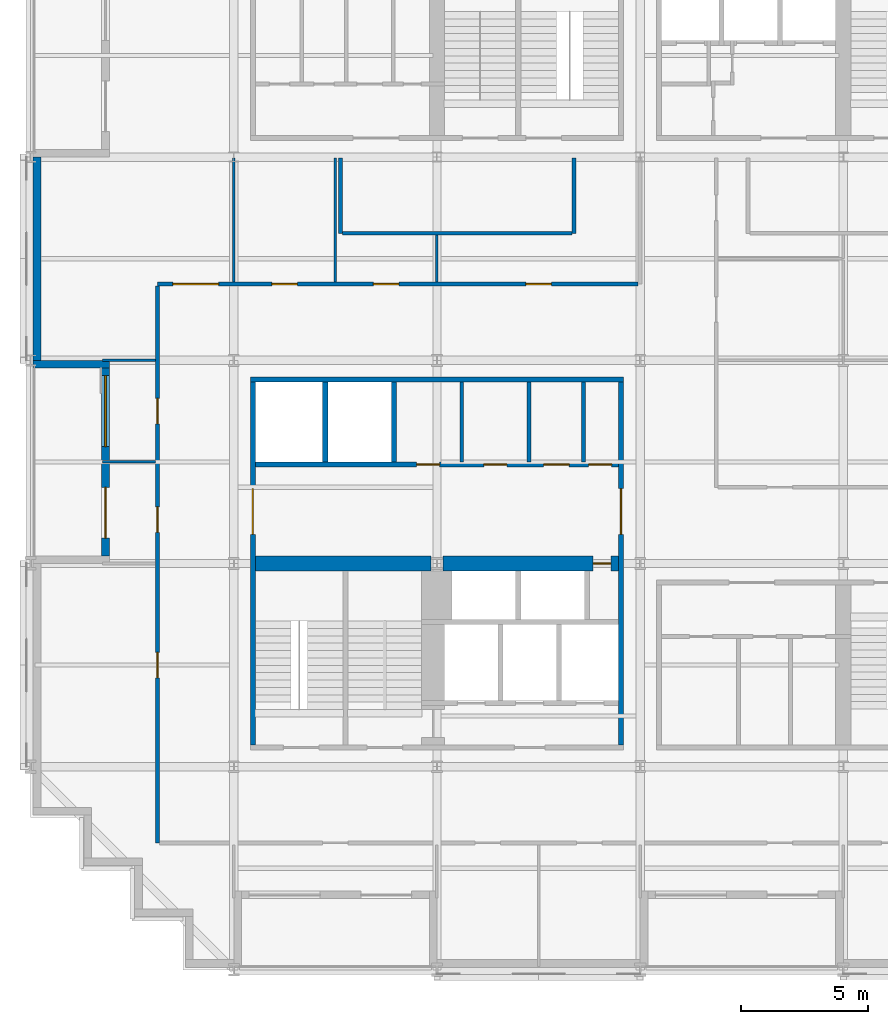
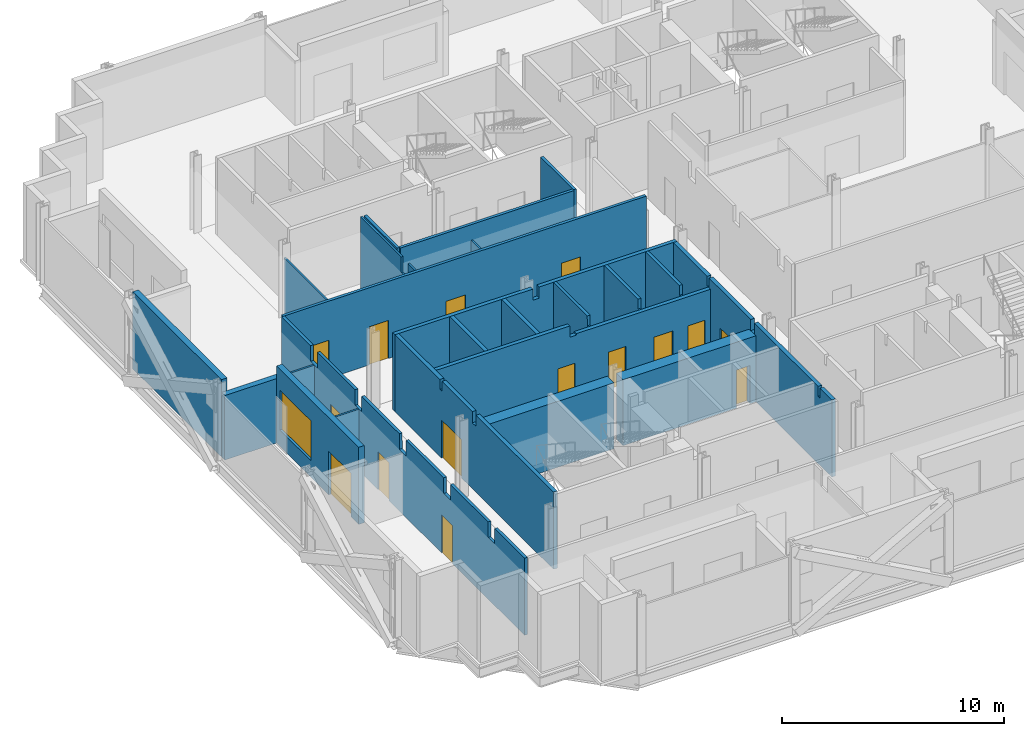
# One storey, part 6 of 12: 24 walls, 15 doors, 1 window, 16 openings.
"""IFC4 building model written with IfcOpenShell, lengths in metres."""

import ifcopenshell
import ifcopenshell.guid

model = None  # the IFC model being written
_history = None  # IfcOwnerHistory: only IFC2X3 demands one
_inside = {}  # id of a spatial element -> (the spatial element, [elements in it])
_under = {}  # id of a project, library or spatial element -> (it, [spatial elements below it])
_declared = {}  # id of a project -> (the project, [libraries it declares])
_typed = {}  # id of a type object -> (the type object, [elements of that type])
_made_of = {}  # id of a material, layer set ... -> (it, [elements and type objects made of it])


def new_model(schema):
    """Start an empty IFC model of exactly this schema.

    Asked for "IFC4X3", IfcOpenShell would pick the latest addendum, in which some entities
    have other attributes; the version numbers below select the first issue.
    IFC2X3 requires an IfcOwnerHistory on every rooted entity: one is made here for all.
    """
    global model, _history
    if schema == "IFC4X3":
        model = ifcopenshell.file(schema_version=(4, 3, 0, 0))
    else:
        model = ifcopenshell.file(schema=schema)
    _inside.clear()
    _under.clear()
    _declared.clear()
    _typed.clear()
    _made_of.clear()
    _history = None
    if model.schema == "IFC2X3":
        org = make("IfcOrganization", Name="unknown")
        user = make(
            "IfcPersonAndOrganization",
            ThePerson=make("IfcPerson", FamilyName="unknown"),
            TheOrganization=org,
        )
        app = make(
            "IfcApplication",
            ApplicationDeveloper=org,
            Version="unknown",
            ApplicationFullName="unknown",
            ApplicationIdentifier="unknown",
        )
        _history = make(
            "IfcOwnerHistory",
            OwningUser=user,
            OwningApplication=app,
            ChangeAction="ADDED",
            CreationDate=0,
        )
    return model


def make(cls, **values):
    """One entity of the class cls with the attributes given. An attribute that is None is left unset."""
    return model.create_entity(
        cls, **{name: value for name, value in values.items() if value is not None}
    )


def rooted(cls, **values):
    """An entity with a GlobalId (a new one), such as an element, a storey or a relation."""
    return make(cls, GlobalId=ifcopenshell.guid.new(), OwnerHistory=_history, **values)


def si_unit(unit_type, name, prefix=None):
    """IfcSIUnit, for example si_unit("LENGTHUNIT", "METRE", prefix="MILLI")."""
    return make("IfcSIUnit", UnitType=unit_type, Prefix=prefix, Name=name)


def assignment(units):
    """IfcUnitAssignment: the units of a project."""
    return None if units is None else make("IfcUnitAssignment", Units=units)


def point(xyz):
    """IfcCartesianPoint."""
    return None if xyz is None else make("IfcCartesianPoint", Coordinates=xyz)


def direction(xyz):
    """IfcDirection."""
    return None if xyz is None else make("IfcDirection", DirectionRatios=xyz)


def frame(location, z_axis=None, x_axis=None):
    """IfcAxis2Placement3D, a coordinate frame: its origin and axes. An axis left out is left unset."""
    return make(
        "IfcAxis2Placement3D",
        Location=point(location),
        Axis=direction(z_axis),
        RefDirection=direction(x_axis),
    )


def frame_2d(location, x_axis=None):
    """IfcAxis2Placement2D, a coordinate frame in the plane: its origin and x axis."""
    return make(
        "IfcAxis2Placement2D", Location=point(location), RefDirection=direction(x_axis)
    )


def origin():
    """The frame at (0, 0, 0) with its axes left unset."""
    return frame((0.0, 0.0, 0.0))


def place(relative_to, where):
    """IfcLocalPlacement: puts the frame where relative to a parent placement (None: the world)."""
    return make(
        "IfcLocalPlacement", PlacementRelTo=relative_to, RelativePlacement=where
    )


def context(
    kind, dimensions, precision=None, world=None, true_north=None, identifier=None
):
    """IfcGeometricRepresentationContext, for example the 3D "Model" context."""
    return make(
        "IfcGeometricRepresentationContext",
        ContextIdentifier=identifier,
        ContextType=kind,
        CoordinateSpaceDimension=dimensions,
        Precision=precision,
        WorldCoordinateSystem=world,
        TrueNorth=true_north,
    )


def subcontext(parent, identifier, kind, view, scale=None):
    """IfcGeometricRepresentationSubContext, for example "Body" below "Model"."""
    return make(
        "IfcGeometricRepresentationSubContext",
        ContextIdentifier=identifier,
        ContextType=kind,
        ParentContext=parent,
        TargetScale=scale,
        TargetView=view,
    )


def project(units=None, contexts=None):
    """IfcProject with its units and contexts."""
    return rooted(
        "IfcProject",
        Name="project",
        RepresentationContexts=contexts,
        UnitsInContext=assignment(units),
    )


def spatial(cls, under=None, at=None, **own):
    """A site, building, storey or space (cls), placed at a placement, below another one or the project."""
    s = rooted(cls, ObjectPlacement=at, **own)
    if under is not None:
        _under.setdefault(under.id(), (under, []))[1].append(s)
    return s


def polyline(points):
    """IfcPolyline through the points."""
    return make("IfcPolyline", Points=[point(p) for p in points])


def profile(cls, at=None, kind="AREA", **sizes):
    """A parametric profile (cls). Its sizes go by their IFC names, for example OverallWidth=200.0."""
    return make(cls, ProfileType=kind, Position=at, **sizes)


def rectangle(**sizes):
    """IfcRectangleProfileDef."""
    return profile("IfcRectangleProfileDef", **sizes)


def outline(outer, holes=None, kind="AREA"):
    """IfcArbitraryClosedProfileDef: a profile drawn as a closed curve; with holes, ...WithVoids."""
    if holes is None:
        return make("IfcArbitraryClosedProfileDef", ProfileType=kind, OuterCurve=outer)
    return make(
        "IfcArbitraryProfileDefWithVoids",
        ProfileType=kind,
        OuterCurve=outer,
        InnerCurves=holes,
    )


def extrude(swept, where, along, depth):
    """IfcExtrudedAreaSolid: the profile swept, set in the frame where, extruded along a direction by depth."""
    return make(
        "IfcExtrudedAreaSolid",
        SweptArea=swept,
        Position=where,
        ExtrudedDirection=direction(along),
        Depth=depth,
    )


def shape(context_of_items, identifier, shape_type, items):
    """IfcShapeRepresentation: the items that make up one representation, for example the "Body"."""
    return make(
        "IfcShapeRepresentation",
        ContextOfItems=context_of_items,
        RepresentationIdentifier=identifier,
        RepresentationType=shape_type,
        Items=items,
    )


def material(Name=None, Category=None):
    """IfcMaterial."""
    return make("IfcMaterial", Name=Name, Category=Category)


def layer(
    of_material, thickness, ventilated=None, Name=None, Category=None, Priority=None
):
    """IfcMaterialLayer: one layer of a wall or slab, of a material (None: an air gap)."""
    return make(
        "IfcMaterialLayer",
        Material=of_material,
        LayerThickness=thickness,
        IsVentilated=ventilated,
        Name=Name,
        Category=Category,
        Priority=Priority,
    )


def layer_set(layers, Name=None):
    """IfcMaterialLayerSet."""
    return make("IfcMaterialLayerSet", MaterialLayers=layers, LayerSetName=Name)


def made_of(thing, what):
    """Note that an element or type object is made of a material, layer set ...; save() writes the relation."""
    if what is not None:
        _made_of.setdefault(what.id(), (what, []))[1].append(thing)
    return thing


def type_object(cls, material=None, **own):
    """A type object (cls), such as IfcWallType, which elements share."""
    return made_of(rooted(cls, **own), material)


def element(
    cls,
    number,
    at=None,
    inside=None,
    cuts=None,
    type_object=None,
    material=None,
    context=None,
    identifier="Body",
    shape_type=None,
    held_by="IfcProductDefinitionShape",
    body=None,
    shapes=None,
    **own,
):
    """One element of the class cls, such as IfcWall. Its Tag is "e" and its number.

    at: its placement. inside: the storey or other place that contains it. cuts: it is an
    opening in that element (IfcRelVoidsElement). A single representation is given by context,
    identifier, shape_type and body (its items); several are given by shapes. held_by: the class
    of the entity that holds the representations. save() writes the other relations.
    """
    e = rooted(cls, Tag="e%d" % number, ObjectPlacement=at, **own)
    if body is not None:
        shapes = [shape(context, identifier, shape_type, body)]
    if shapes is not None:
        e.Representation = make(held_by, Representations=shapes)
    if inside is not None:
        _inside.setdefault(inside.id(), (inside, []))[1].append(e)
    if cuts is not None:
        rooted(
            "IfcRelVoidsElement", RelatingBuildingElement=cuts, RelatedOpeningElement=e
        )
    if type_object is not None:
        _typed.setdefault(type_object.id(), (type_object, []))[1].append(e)
    return made_of(e, material)


def fill(opening, filler):
    """IfcRelFillsElement: the door or window that sits in an opening."""
    return rooted(
        "IfcRelFillsElement",
        RelatingOpeningElement=opening,
        RelatedBuildingElement=filler,
    )


def aggregate(whole, parts):
    """IfcRelAggregates: a whole, such as a stair, and the parts it consists of."""
    return rooted("IfcRelAggregates", RelatingObject=whole, RelatedObjects=parts)


def save(model, path):
    """Write the relations noted so far, then the file.

    IfcRelAggregates (storeys below a building ...), IfcRelContainedInSpatialStructure (elements
    in a storey), IfcRelDefinesByType, IfcRelAssociatesMaterial and IfcRelDeclares: one each for
    every whole, place, type object, material and project.
    """
    for whole, parts in _under.values():
        aggregate(whole, parts)
    for where, things in _inside.values():
        rooted(
            "IfcRelContainedInSpatialStructure",
            RelatedElements=things,
            RelatingStructure=where,
        )
    for kind, things in _typed.values():
        rooted("IfcRelDefinesByType", RelatedObjects=things, RelatingType=kind)
    for what, things in _made_of.values():
        rooted("IfcRelAssociatesMaterial", RelatedObjects=things, RelatingMaterial=what)
    for by, libraries in _declared.values():
        rooted("IfcRelDeclares", RelatingContext=by, RelatedDefinitions=libraries)
    model.write(path)


model = new_model("IFC4")

# Units and contexts
model_context = context("Model", 3, precision=1e-05, world=origin(), true_north=direction((0.0, 1.0)))
body_context = subcontext(model_context, "Body", "Model", "MODEL_VIEW")
ifc_project = project(units=[si_unit("LENGTHUNIT", "METRE"), si_unit("AREAUNIT", "SQUARE_METRE"), si_unit("VOLUMEUNIT", "CUBIC_METRE"), si_unit("PLANEANGLEUNIT", "RADIAN"), si_unit("MASSUNIT", "GRAM", prefix="KILO")], contexts=[model_context])

# Site, building, storey
site_placement = place(None, origin())
site = spatial("IfcSite", under=ifc_project, at=site_placement, CompositionType="ELEMENT")
building_placement = place(site_placement, origin())
building = spatial("IfcBuilding", under=site, at=building_placement, Name="Immortelle Media Tower", CompositionType="ELEMENT")
storey_placement = place(building_placement, frame((0.0, 0.0, 52.39990234375)))
storey = spatial("IfcBuildingStorey", under=building, at=storey_placement, Name="L08", CompositionType="ELEMENT", Elevation=52.39990234375)

# Wall, opening, door
ifc_material_1 = material(Name="Fire-rated masonry blockwork", Category="masonry")
ifc_layer_1 = layer(ifc_material_1, 0.60009765625)
ifc_layer_set_1 = layer_set([ifc_layer_1], Name="Fire-rated masonry blockwork")
wall_type_1 = type_object("IfcWallType", Name="Core grid-line wall 600", PredefinedType="PARTITIONING", material=ifc_layer_set_1)
wall_1_placement = place(storey_placement, frame((16.237548828125, 16.0, 0.0), z_axis=(0.0, 0.0, 1.0), x_axis=(1.0, 0.0, 0.0)))
wall_1 = element("IfcWall", 1, at=wall_1_placement, inside=storey, type_object=wall_type_1, Name="Core grid-line wall SW", PredefinedType="PARTITIONING", context=body_context, shape_type="SweptSolid", body=[
    extrude(rectangle(XDim=6.912353515625, YDim=0.60009765625, at=frame_2d((3.4560546875, 0.0))), origin(), (0.0, 0.0, 1.0), 3.632080078125),
])
opening_1_placement = place(wall_1_placement, frame((6.612548828125, 0.0, 0.0), z_axis=(0.0, 0.0, 1.0), x_axis=(-1.0, 0.0, 0.0)))
opening_1 = element("IfcOpeningElement", 2, at=opening_1_placement, cuts=wall_1, Name="Opening N2-K015", PredefinedType="OPENING", context=body_context, shape_type="SweptSolid", body=[
    extrude(rectangle(XDim=0.699951171875, YDim=2.10009765625, at=frame_2d((0.35009765625, 1.050048828125))), frame((0.0, 0.31005859375, 0.0), z_axis=(0.0, -1.0, 0.0), x_axis=(1.0, 0.0, 0.0)), (0.0, 0.0, 1.0), 0.6201171875),
])
ifc_material_2 = material(Name="Galvanised steel door leaf and frame ASTM A653", Category="steel")
door_type_1 = type_object("IfcDoorType", Name="Service door 700 x 2100", OperationType="NOTDEFINED", PredefinedType="NOTDEFINED", material=ifc_material_2)
door_1_placement = place(opening_1_placement, origin())
door_1 = element("IfcDoor", 3, at=door_1_placement, inside=storey, type_object=door_type_1, Name="Service N2-K015", OperationType="SINGLE_SWING_RIGHT", OverallHeight=2.10009765625, OverallWidth=0.699951171875, PredefinedType="NOTDEFINED", context=body_context, shape_type="SweptSolid", body=[
    extrude(rectangle(XDim=0.699951171875, YDim=2.10009765625, at=frame_2d((0.35009765625, 1.050048828125))), frame((0.0, 0.02490234375, 0.0), z_axis=(0.0, -1.0, 0.0), x_axis=(1.0, 0.0, 0.0)), (0.0, 0.0, 1.0), 0.050048828125),
])
fill(opening_1, door_1)

# Walls
ifc_material_3 = material(Name="Fire-rated gypsum board", Category="gypsum")
ifc_layer_2 = layer(ifc_material_3, 0.02490234375)
ifc_material_4 = material(Name="Steel ASTM A653 SS Gr 50 stud frame with mineral wool", Category="steel")
ifc_layer_3 = layer(ifc_material_4, 0.10009765625)
ifc_layer_4 = layer(ifc_material_3, 0.02490234375)
ifc_layer_set_2 = layer_set([ifc_layer_2, ifc_layer_3, ifc_layer_4], Name="Steel ASTM A653 SS Gr 50 stud frame with mineral wool")
wall_type_2 = type_object("IfcWallType", Name="Core partition 150", PredefinedType="PARTITIONING", material=ifc_layer_set_2)
for number, where, z_axis, x_axis, name in (
    (4, (16.97509765625, 20.0, 0.0), (0.0, 0.0, 1.0), (0.0, 1.0, 0.0), "Core partition SW"),
    (5, (19.625, 20.0, 0.0), (0.0, 0.0, 1.0), (0.0, 1.0, 0.0), "Core partition SW"),
    (6, (21.77490234375, 20.0, 0.0), (0.0, 0.0, 1.0), (0.0, 1.0, 0.0), "Core partition SW"),
):
    element("IfcWall", number, at=place(storey_placement, frame(where, z_axis=z_axis, x_axis=x_axis)), inside=storey, type_object=wall_type_2, Name=name, PredefinedType="PARTITIONING", context=body_context, shape_type="SweptSolid", body=[
        extrude(outline(polyline([(0.0, 0.0), (3.14990234375, 0.0), (3.14990234375, 4.25), (0.08837890625, 4.25), (0.08740234375, 3.7080078125), (0.0, 3.7080078125), (0.0, 0.0)])), frame((0.0, 0.074951171875, 0.0), z_axis=(0.0, -1.0, 0.0), x_axis=(1.0, 0.0, 0.0)), (0.0, 0.0, 1.0), 0.14990234375),
    ])
ifc_layer_5 = layer(ifc_material_3, 0.03759765625)
ifc_layer_6 = layer(ifc_material_4, 0.125)
ifc_layer_7 = layer(ifc_material_3, 0.03759765625)
ifc_layer_set_3 = layer_set([ifc_layer_5, ifc_layer_6, ifc_layer_7], Name="Steel ASTM A653 SS Gr 50 stud frame with mineral wool")
wall_type_3 = type_object("IfcWallType", Name="Core shaft wall 200", PredefinedType="PARTITIONING", material=ifc_layer_set_3)
wall_2_placement = place(storey_placement, frame((8.64990234375, 23.25, 0.0), z_axis=(0.0, 0.0, 1.0), x_axis=(1.0, 0.0, 0.0)))
element("IfcWall", 7, at=wall_2_placement, inside=storey, type_object=wall_type_3, Name="Core shaft wall SW", PredefinedType="PARTITIONING", context=body_context, shape_type="SweptSolid", body=[
    extrude(outline(polyline([(0.0, 0.0), (14.7001953125, 0.0), (14.699951171875, 4.25), (7.51708984375, 4.25), (7.51611328125, 3.632080078125), (7.18408203125, 3.632080078125), (7.18310546875, 4.25), (0.0, 4.25), (0.0, 0.0)])), frame((0.0, 0.10009765625, 0.0), z_axis=(0.0, -1.0, 0.0), x_axis=(1.0, 0.0, 0.0)), (0.0, 0.0, 1.0), 0.199951171875),
])

# Wall, openings, doors
wall_3_placement = place(storey_placement, frame((8.85009765625, 19.89990234375, 0.0), z_axis=(0.0, 0.0, 1.0), x_axis=(1.0, 0.0, 0.0)))
wall_3 = element("IfcWall", 8, at=wall_3_placement, inside=storey, type_object=wall_type_3, Name="Core shaft wall SW", PredefinedType="PARTITIONING", context=body_context, shape_type="SweptSolid", body=[
    extrude(outline(polyline([(0.0, 0.0), (14.2998046875, 0.0), (14.300048828125, 3.7080078125), (7.31689453125, 3.7080078125), (7.31591796875, 3.632080078125), (6.98388671875, 3.632080078125), (6.98291015625, 4.25), (0.0, 4.25), (0.0, 0.0)])), frame((0.0, 0.10009765625, 0.0), z_axis=(0.0, -1.0, 0.0), x_axis=(1.0, 0.0, 0.0)), (0.0, 0.0, 1.0), 0.199951171875),
])
opening_2_placement = place(wall_3_placement, frame((6.35009765625, 0.0, 0.0)))
opening_2 = element("IfcOpeningElement", 9, at=opening_2_placement, cuts=wall_3, Name="Opening N2-K040", PredefinedType="OPENING", context=body_context, shape_type="SweptSolid", body=[
    extrude(rectangle(XDim=0.89990234375, YDim=2.10009765625, at=frame_2d((0.449951171875, 1.050048828125))), frame((0.0, 0.10986328125, 0.0), z_axis=(0.0, -1.0, 0.0), x_axis=(1.0, 0.0, 0.0)), (0.0, 0.0, 1.0), 0.219970703125),
])
opening_3_placement = place(wall_3_placement, frame((9.0, 0.0, 0.0)))
opening_3 = element("IfcOpeningElement", 10, at=opening_3_placement, cuts=wall_3, Name="Opening N2-K041", PredefinedType="OPENING", context=body_context, shape_type="SweptSolid", body=[
    extrude(rectangle(XDim=0.89990234375, YDim=2.10009765625, at=frame_2d((0.449951171875, 1.050048828125))), frame((0.0, 0.10986328125, 0.0), z_axis=(0.0, -1.0, 0.0), x_axis=(1.0, 0.0, 0.0)), (0.0, 0.0, 1.0), 0.219970703125),
])
opening_4_placement = place(wall_3_placement, frame((11.35009765625, 0.0, 0.0)))
opening_4 = element("IfcOpeningElement", 11, at=opening_4_placement, cuts=wall_3, Name="Opening N2-K042", PredefinedType="OPENING", context=body_context, shape_type="SweptSolid", body=[
    extrude(rectangle(XDim=1.0, YDim=2.10009765625, at=frame_2d((0.5, 1.050048828125))), frame((0.0, 0.10986328125, 0.0), z_axis=(0.0, -1.0, 0.0), x_axis=(1.0, 0.0, 0.0)), (0.0, 0.0, 1.0), 0.219970703125),
])
opening_5_placement = place(wall_3_placement, frame((13.125, 0.0, 0.0)))
opening_5 = element("IfcOpeningElement", 12, at=opening_5_placement, cuts=wall_3, Name="Opening N2-K043", PredefinedType="OPENING", context=body_context, shape_type="SweptSolid", body=[
    extrude(rectangle(XDim=0.89990234375, YDim=2.10009765625, at=frame_2d((0.449951171875, 1.050048828125))), frame((0.0, 0.10986328125, 0.0), z_axis=(0.0, -1.0, 0.0), x_axis=(1.0, 0.0, 0.0)), (0.0, 0.0, 1.0), 0.219970703125),
])
ifc_material_5 = material(Name="Timber", Category="wood")
door_type_2 = type_object("IfcDoorType", Name="Accessible toilet door 1000 x 2100", OperationType="NOTDEFINED", PredefinedType="NOTDEFINED", material=ifc_material_5)
door_2_placement = place(opening_4_placement, origin())
door_2 = element("IfcDoor", 13, at=door_2_placement, inside=storey, type_object=door_type_2, Name="Accessible toilet N2-K042", OperationType="SINGLE_SWING_RIGHT", OverallHeight=2.10009765625, OverallWidth=1.0, PredefinedType="NOTDEFINED", context=body_context, shape_type="SweptSolid", body=[
    extrude(rectangle(XDim=1.0, YDim=2.10009765625, at=frame_2d((0.5, 1.050048828125))), frame((0.0, 0.02490234375, 0.0), z_axis=(0.0, -1.0, 0.0), x_axis=(1.0, 0.0, 0.0)), (0.0, 0.0, 1.0), 0.050048828125),
])
fill(opening_4, door_2)
door_type_3 = type_object("IfcDoorType", Name="Service door 900 x 2100", OperationType="NOTDEFINED", PredefinedType="NOTDEFINED", material=ifc_material_2)
door_3_placement = place(opening_5_placement, origin())
door_3 = element("IfcDoor", 14, at=door_3_placement, inside=storey, type_object=door_type_3, Name="Service N2-K043", OperationType="SINGLE_SWING_LEFT", OverallHeight=2.10009765625, OverallWidth=0.89990234375, PredefinedType="NOTDEFINED", context=body_context, shape_type="SweptSolid", body=[
    extrude(rectangle(XDim=0.89990234375, YDim=2.10009765625, at=frame_2d((0.449951171875, 1.050048828125))), frame((0.0, 0.02490234375, 0.0), z_axis=(0.0, -1.0, 0.0), x_axis=(1.0, 0.0, 0.0)), (0.0, 0.0, 1.0), 0.050048828125),
])
fill(opening_5, door_3)
door_type_4 = type_object("IfcDoorType", Name="Toilet door 900 x 2100", OperationType="NOTDEFINED", PredefinedType="NOTDEFINED", material=ifc_material_5)
door_4_placement = place(opening_2_placement, origin())
door_4 = element("IfcDoor", 15, at=door_4_placement, inside=storey, type_object=door_type_4, Name="Toilet N2-K040", OperationType="SINGLE_SWING_RIGHT", OverallHeight=2.10009765625, OverallWidth=0.89990234375, PredefinedType="NOTDEFINED", context=body_context, shape_type="SweptSolid", body=[
    extrude(rectangle(XDim=0.89990234375, YDim=2.10009765625, at=frame_2d((0.449951171875, 1.050048828125))), frame((0.0, 0.02490234375, 0.0), z_axis=(0.0, -1.0, 0.0), x_axis=(1.0, 0.0, 0.0)), (0.0, 0.0, 1.0), 0.050048828125),
])
fill(opening_2, door_4)
door_5_placement = place(opening_3_placement, origin())
door_5 = element("IfcDoor", 16, at=door_5_placement, inside=storey, type_object=door_type_4, Name="Toilet N2-K041", OperationType="SINGLE_SWING_RIGHT", OverallHeight=2.10009765625, OverallWidth=0.89990234375, PredefinedType="NOTDEFINED", context=body_context, shape_type="SweptSolid", body=[
    extrude(rectangle(XDim=0.89990234375, YDim=2.10009765625, at=frame_2d((0.449951171875, 1.050048828125))), frame((0.0, 0.02490234375, 0.0), z_axis=(0.0, -1.0, 0.0), x_axis=(1.0, 0.0, 0.0)), (0.0, 0.0, 1.0), 0.050048828125),
])
fill(opening_3, door_5)

# Walls
for number, where, z_axis, x_axis, name in (
    (17, (11.60009765625, 20.0, 0.0), (0.0, 0.0, 1.0), (0.0, 1.0, 0.0), "Core shaft wall SW"),
    (18, (14.300048828125, 20.0, 0.0), (0.0, 0.0, 1.0), (0.0, 1.0, 0.0), "Core shaft wall SW"),
):
    element("IfcWall", number, at=place(storey_placement, frame(where, z_axis=z_axis, x_axis=x_axis)), inside=storey, type_object=wall_type_3, Name=name, PredefinedType="PARTITIONING", context=body_context, shape_type="SweptSolid", body=[
        extrude(rectangle(XDim=3.14990234375, YDim=0.199951171875, at=frame_2d((1.574951171875, 0.0))), origin(), (0.0, 0.0, 1.0), 4.25),
    ])

# Wall, opening, door
wall_4_placement = place(storey_placement, frame((23.25, 8.85009765625, 0.0), z_axis=(0.0, 0.0, 1.0), x_axis=(0.0, 1.0, 0.0)))
wall_4 = element("IfcWall", 19, at=wall_4_placement, inside=storey, type_object=wall_type_3, Name="Core shaft wall SW", PredefinedType="PARTITIONING", context=body_context, shape_type="SweptSolid", body=[
    extrude(outline(polyline([(0.0, 0.0), (14.2998046875, 0.0), (14.300048828125, 4.25), (11.238525390625, 4.25), (11.237548828125, 3.7080078125), (11.0625, 3.7080078125), (11.0615234375, 4.25), (7.31689453125, 4.25), (7.31591796875, 3.632080078125), (6.98388671875, 3.632080078125), (6.98291015625, 4.25), (1.238525390625, 4.25), (1.237548828125, 3.7080078125), (1.0625, 3.7080078125), (1.0615234375, 4.25), (0.0, 4.25), (0.0, 0.0)])), frame((0.0, 0.10009765625, 0.0), z_axis=(0.0, -1.0, 0.0), x_axis=(1.0, 0.0, 0.0)), (0.0, 0.0, 1.0), 0.199951171875),
])
opening_6_placement = place(wall_4_placement, frame((8.300048828125, 0.0, 0.0)))
opening_6 = element("IfcOpeningElement", 20, at=opening_6_placement, cuts=wall_4, Name="Opening N2-K016", PredefinedType="OPENING", context=body_context, shape_type="SweptSolid", body=[
    extrude(rectangle(XDim=1.800048828125, YDim=2.10009765625, at=frame_2d((0.89990234375, 1.050048828125))), frame((0.0, 0.10986328125, 0.0), z_axis=(0.0, -1.0, 0.0), x_axis=(1.0, 0.0, 0.0)), (0.0, 0.0, 1.0), 0.219970703125),
])
door_type_5 = type_object("IfcDoorType", Name="Lift lobby door 1800 x 2100", OperationType="DOUBLE_DOOR_SINGLE_SWING", PredefinedType="NOTDEFINED", material=ifc_material_2)
door_6_placement = place(opening_6_placement, origin())
door_6 = element("IfcDoor", 21, at=door_6_placement, inside=storey, type_object=door_type_5, Name="Lift lobby N2-K016", OperationType="DOUBLE_DOOR_SINGLE_SWING", OverallHeight=2.10009765625, OverallWidth=1.800048828125, PredefinedType="NOTDEFINED", context=body_context, shape_type="SweptSolid", body=[
    extrude(rectangle(XDim=1.800048828125, YDim=2.10009765625, at=frame_2d((0.89990234375, 1.050048828125))), frame((0.0, 0.02490234375, 0.0), z_axis=(0.0, -1.0, 0.0), x_axis=(1.0, 0.0, 0.0)), (0.0, 0.0, 1.0), 0.050048828125),
])
fill(opening_6, door_6)

# Wall, openings, doors
ifc_layer_8 = layer(ifc_material_3, 0.012451171875)
ifc_layer_9 = layer(ifc_material_4, 0.125)
ifc_layer_10 = layer(ifc_material_3, 0.012451171875)
ifc_layer_set_4 = layer_set([ifc_layer_8, ifc_layer_9, ifc_layer_10], Name="Steel ASTM A653 SS Gr 50 stud frame with mineral wool")
wall_type_4 = type_object("IfcWallType", Name="Corridor wall 150", PredefinedType="PARTITIONING", material=ifc_layer_set_4)
wall_5_placement = place(storey_placement, frame((5.0, 5.0, 0.0), z_axis=(0.0, 0.0, 1.0), x_axis=(0.0, 1.0, 0.0)))
wall_5 = element("IfcWall", 22, at=wall_5_placement, inside=storey, type_object=wall_type_4, Name="Partition L08-008", PredefinedType="PARTITIONING", context=body_context, shape_type="SweptSolid", body=[
    extrude(outline(polyline([(0.0, 0.0), (21.925048828125, 0.0), (21.925048828125, 4.25), (19.300048828125, 4.25), (19.298095703125, 3.39111328125), (18.701904296875, 3.39111328125), (18.699951171875, 4.25), (15.300048828125, 4.25), (15.298095703125, 3.39111328125), (14.701904296875, 3.39111328125), (14.699951171875, 4.25), (11.300048828125, 4.25), (11.298095703125, 3.39111328125), (10.701904296875, 3.39111328125), (10.699951171875, 4.25), (7.300048828125, 4.25), (7.298095703125, 3.39111328125), (6.701904296875, 3.39111328125), (6.699951171875, 4.25), (3.300048828125, 4.25), (3.298095703125, 3.39111328125), (2.701904296875, 3.39111328125), (2.699951171875, 4.25), (0.0, 4.25), (0.0, 0.0)])), frame((0.0, 0.074951171875, 0.0), z_axis=(0.0, -1.0, 0.0), x_axis=(1.0, 0.0, 0.0)), (0.0, 0.0, 1.0), 0.14990234375),
])
opening_7_placement = place(wall_5_placement, frame((6.5, 0.0, 0.0)))
opening_7 = element("IfcOpeningElement", 23, at=opening_7_placement, cuts=wall_5, Name="Opening N2-F007", PredefinedType="OPENING", context=body_context, shape_type="SweptSolid", body=[
    extrude(rectangle(XDim=1.0, YDim=2.10009765625, at=frame_2d((0.5, 1.050048828125))), frame((0.0, 0.0849609375, 0.0), z_axis=(0.0, -1.0, 0.0), x_axis=(1.0, 0.0, 0.0)), (0.0, 0.0, 1.0), 0.169921875),
])
opening_8_placement = place(wall_5_placement, frame((12.22509765625, 0.0, 0.0)))
opening_8 = element("IfcOpeningElement", 24, at=opening_8_placement, cuts=wall_5, Name="Opening N2-F009", PredefinedType="OPENING", context=body_context, shape_type="SweptSolid", body=[
    extrude(rectangle(XDim=1.0, YDim=2.10009765625, at=frame_2d((0.5, 1.050048828125))), frame((0.0, 0.0849609375, 0.0), z_axis=(0.0, -1.0, 0.0), x_axis=(1.0, 0.0, 0.0)), (0.0, 0.0, 1.0), 0.169921875),
])
opening_9_placement = place(wall_5_placement, frame((16.5, 0.0, 0.0)))
opening_9 = element("IfcOpeningElement", 25, at=opening_9_placement, cuts=wall_5, Name="Opening N2-F010", PredefinedType="OPENING", context=body_context, shape_type="SweptSolid", body=[
    extrude(rectangle(XDim=1.0, YDim=2.10009765625, at=frame_2d((0.5, 1.050048828125))), frame((0.0, 0.0849609375, 0.0), z_axis=(0.0, -1.0, 0.0), x_axis=(1.0, 0.0, 0.0)), (0.0, 0.0, 1.0), 0.169921875),
])
ifc_material_6 = material(Name="Timber veneered door leaf, galvanised steel frame ASTM A653", Category="steel")
door_type_6 = type_object("IfcDoorType", Name="Room door 1000 x 2100", OperationType="NOTDEFINED", PredefinedType="DOOR", material=ifc_material_6)
door_7_placement = place(opening_7_placement, origin())
door_7 = element("IfcDoor", 26, at=door_7_placement, inside=storey, type_object=door_type_6, Name="Door N2-F007", OperationType="SINGLE_SWING_RIGHT", OverallHeight=2.10009765625, OverallWidth=1.0, PredefinedType="DOOR", context=body_context, shape_type="SweptSolid", body=[
    extrude(rectangle(XDim=1.0, YDim=2.10009765625, at=frame_2d((0.5, 1.050048828125))), frame((0.0, 0.02490234375, 0.0), z_axis=(0.0, -1.0, 0.0), x_axis=(1.0, 0.0, 0.0)), (0.0, 0.0, 1.0), 0.050048828125),
])
fill(opening_7, door_7)
door_8_placement = place(opening_8_placement, origin())
door_8 = element("IfcDoor", 27, at=door_8_placement, inside=storey, type_object=door_type_6, Name="Door N2-F009", OperationType="SINGLE_SWING_LEFT", OverallHeight=2.10009765625, OverallWidth=1.0, PredefinedType="DOOR", context=body_context, shape_type="SweptSolid", body=[
    extrude(rectangle(XDim=1.0, YDim=2.10009765625, at=frame_2d((0.5, 1.050048828125))), frame((0.0, 0.02490234375, 0.0), z_axis=(0.0, -1.0, 0.0), x_axis=(1.0, 0.0, 0.0)), (0.0, 0.0, 1.0), 0.050048828125),
])
fill(opening_8, door_8)
door_9_placement = place(opening_9_placement, origin())
door_9 = element("IfcDoor", 28, at=door_9_placement, inside=storey, type_object=door_type_6, Name="Door N2-F010", OperationType="SINGLE_SWING_RIGHT", OverallHeight=2.10009765625, OverallWidth=1.0, PredefinedType="DOOR", context=body_context, shape_type="SweptSolid", body=[
    extrude(rectangle(XDim=1.0, YDim=2.10009765625, at=frame_2d((0.5, 1.050048828125))), frame((0.0, 0.02490234375, 0.0), z_axis=(0.0, -1.0, 0.0), x_axis=(1.0, 0.0, 0.0)), (0.0, 0.0, 1.0), 0.050048828125),
])
fill(opening_9, door_9)

wall_6_placement = place(storey_placement, frame((5.0, 27.0, 0.0), z_axis=(0.0, 0.0, 1.0), x_axis=(1.0, 0.0, 0.0)))
wall_6 = element("IfcWall", 29, at=wall_6_placement, inside=storey, type_object=wall_type_4, Name="Partition L08-022", PredefinedType="PARTITIONING", context=body_context, shape_type="SweptSolid", body=[
    extrude(rectangle(XDim=18.925048828125, YDim=0.14990234375, at=frame_2d((9.46240234375, 0.0))), origin(), (0.0, 0.0, 1.0), 4.25),
])
opening_10_placement = place(wall_6_placement, frame((14.5, 0.0, 0.0)))
opening_10 = element("IfcOpeningElement", 30, at=opening_10_placement, cuts=wall_6, Name="Opening N2-F015", PredefinedType="OPENING", context=body_context, shape_type="SweptSolid", body=[
    extrude(rectangle(XDim=1.0, YDim=2.10009765625, at=frame_2d((0.5, 1.050048828125))), frame((0.0, 0.0849609375, 0.0), z_axis=(0.0, -1.0, 0.0), x_axis=(1.0, 0.0, 0.0)), (0.0, 0.0, 1.0), 0.169921875),
])
opening_11_placement = place(wall_6_placement, frame((4.5, 0.0, 0.0)))
opening_11 = element("IfcOpeningElement", 31, at=opening_11_placement, cuts=wall_6, Name="Opening N2-F016", PredefinedType="OPENING", context=body_context, shape_type="SweptSolid", body=[
    extrude(rectangle(XDim=1.0, YDim=2.10009765625, at=frame_2d((0.5, 1.050048828125))), frame((0.0, 0.0849609375, 0.0), z_axis=(0.0, -1.0, 0.0), x_axis=(1.0, 0.0, 0.0)), (0.0, 0.0, 1.0), 0.169921875),
])
opening_12_placement = place(wall_6_placement, frame((8.5, 0.0, 0.0)))
opening_12 = element("IfcOpeningElement", 32, at=opening_12_placement, cuts=wall_6, Name="Opening N2-F017", PredefinedType="OPENING", context=body_context, shape_type="SweptSolid", body=[
    extrude(rectangle(XDim=1.0, YDim=2.10009765625, at=frame_2d((0.5, 1.050048828125))), frame((0.0, 0.0849609375, 0.0), z_axis=(0.0, -1.0, 0.0), x_axis=(1.0, 0.0, 0.0)), (0.0, 0.0, 1.0), 0.169921875),
])
opening_13_placement = place(wall_6_placement, frame((0.60009765625, 0.0, 0.0)))
opening_13 = element("IfcOpeningElement", 33, at=opening_13_placement, cuts=wall_6, Name="Opening N2-F019", PredefinedType="OPENING", context=body_context, shape_type="SweptSolid", body=[
    extrude(rectangle(XDim=1.800048828125, YDim=2.10009765625, at=frame_2d((0.89990234375, 1.050048828125))), frame((0.0, 0.0849609375, 0.0), z_axis=(0.0, -1.0, 0.0), x_axis=(1.0, 0.0, 0.0)), (0.0, 0.0, 1.0), 0.169921875),
])
door_10_placement = place(opening_10_placement, origin())
door_10 = element("IfcDoor", 34, at=door_10_placement, inside=storey, type_object=door_type_6, Name="Door N2-F015", OperationType="SINGLE_SWING_RIGHT", OverallHeight=2.10009765625, OverallWidth=1.0, PredefinedType="DOOR", context=body_context, shape_type="SweptSolid", body=[
    extrude(rectangle(XDim=1.0, YDim=2.10009765625, at=frame_2d((0.5, 1.050048828125))), frame((0.0, 0.02490234375, 0.0), z_axis=(0.0, -1.0, 0.0), x_axis=(1.0, 0.0, 0.0)), (0.0, 0.0, 1.0), 0.050048828125),
])
fill(opening_10, door_10)
door_11_placement = place(opening_11_placement, origin())
door_11 = element("IfcDoor", 35, at=door_11_placement, inside=storey, type_object=door_type_6, Name="Door N2-F016", OperationType="SINGLE_SWING_LEFT", OverallHeight=2.10009765625, OverallWidth=1.0, PredefinedType="DOOR", context=body_context, shape_type="SweptSolid", body=[
    extrude(rectangle(XDim=1.0, YDim=2.10009765625, at=frame_2d((0.5, 1.050048828125))), frame((0.0, 0.02490234375, 0.0), z_axis=(0.0, -1.0, 0.0), x_axis=(1.0, 0.0, 0.0)), (0.0, 0.0, 1.0), 0.050048828125),
])
fill(opening_11, door_11)
door_12_placement = place(opening_12_placement, origin())
door_12 = element("IfcDoor", 36, at=door_12_placement, inside=storey, type_object=door_type_6, Name="Door N2-F017", OperationType="SINGLE_SWING_RIGHT", OverallHeight=2.10009765625, OverallWidth=1.0, PredefinedType="DOOR", context=body_context, shape_type="SweptSolid", body=[
    extrude(rectangle(XDim=1.0, YDim=2.10009765625, at=frame_2d((0.5, 1.050048828125))), frame((0.0, 0.02490234375, 0.0), z_axis=(0.0, -1.0, 0.0), x_axis=(1.0, 0.0, 0.0)), (0.0, 0.0, 1.0), 0.050048828125),
])
fill(opening_12, door_12)
door_type_7 = type_object("IfcDoorType", Name="Room door 1800 x 2100", OperationType="DOUBLE_DOOR_SINGLE_SWING", PredefinedType="DOOR", material=ifc_material_6)
door_13_placement = place(opening_13_placement, origin())
door_13 = element("IfcDoor", 37, at=door_13_placement, inside=storey, type_object=door_type_7, Name="Door N2-F019", OperationType="DOUBLE_DOOR_SINGLE_SWING", OverallHeight=2.10009765625, OverallWidth=1.800048828125, PredefinedType="DOOR", context=body_context, shape_type="SweptSolid", body=[
    extrude(rectangle(XDim=1.800048828125, YDim=2.10009765625, at=frame_2d((0.89990234375, 1.050048828125))), frame((0.0, 0.02490234375, 0.0), z_axis=(0.0, -1.0, 0.0), x_axis=(1.0, 0.0, 0.0)), (0.0, 0.0, 1.0), 0.050048828125),
])
fill(opening_13, door_13)

# Walls
wall_7_placement = place(storey_placement, frame((12.27490234375, 29.0, 0.0), z_axis=(0.0, 0.0, 1.0), x_axis=(1.0, 0.0, 0.0)))
element("IfcWall", 38, at=wall_7_placement, inside=storey, type_object=wall_type_4, Name="Partition L08-029", PredefinedType="PARTITIONING", context=body_context, shape_type="SweptSolid", body=[
    extrude(rectangle(XDim=9.050048828125, YDim=0.14990234375, at=frame_2d((4.52490234375, 0.0))), origin(), (0.0, 0.0, 1.0), 4.25),
])
for number, where, z_axis, x_axis, name in (
    (39, (12.199951171875, 29.0, 0.0), (0.0, 0.0, 1.0), (0.0, 1.0, 0.0), "Partition L08-030"),
    (40, (21.39990234375, 29.0, 0.0), (0.0, 0.0, 1.0), (0.0, 1.0, 0.0), "Partition L08-031"),
):
    element("IfcWall", number, at=place(storey_placement, frame(where, z_axis=z_axis, x_axis=x_axis)), inside=storey, type_object=wall_type_4, Name=name, PredefinedType="PARTITIONING", context=body_context, shape_type="SweptSolid", body=[
        extrude(rectangle(XDim=2.969970703125, YDim=0.14990234375, at=frame_2d((1.48486328125, 0.0))), origin(), (0.0, 0.0, 1.0), 4.25),
    ])
ifc_material_7 = material(Name="Pale aluminium cladding panel", Category="aluminium")
ifc_layer_11 = layer(ifc_material_7, 0.030029296875)
ifc_layer_12 = layer(ifc_material_4, 0.257568359375)
ifc_material_8 = material(Name="Moisture-resistant gypsum board", Category="gypsum")
ifc_layer_13 = layer(ifc_material_8, 0.012451171875)
ifc_layer_set_5 = layer_set([ifc_layer_11, ifc_layer_12, ifc_layer_13], Name="Steel ASTM A653 SS Gr 50 stud frame with mineral wool")
wall_type_5 = type_object("IfcWallType", Name="Facade wall 300", PredefinedType="SOLIDWALL", material=ifc_layer_set_5)
wall_8_placement = place(storey_placement, frame((0.25, 32.0, 0.0), z_axis=(0.0, 0.0, 1.0), x_axis=(0.0, -1.0, 0.0)))
element("IfcWall", 41, at=wall_8_placement, inside=storey, type_object=wall_type_5, Name="Facade wall L08 W0", PredefinedType="SOLIDWALL", context=body_context, shape_type="SweptSolid", body=[
    extrude(rectangle(XDim=8.0, YDim=0.300048828125, at=frame_2d((4.0, 0.0))), origin(), (0.0, 0.0, 1.0), 4.25),
])

# Wall, openings, door, window
wall_9_placement = place(storey_placement, frame((2.949951171875, 23.699951171875, 0.0), z_axis=(0.0, 0.0, 1.0), x_axis=(0.0, -1.0, 0.0)))
wall_9 = element("IfcWall", 42, at=wall_9_placement, inside=storey, type_object=wall_type_5, Name="Loggia wall L08 W0", PredefinedType="SOLIDWALL", context=body_context, shape_type="SweptSolid", body=[
    extrude(rectangle(XDim=7.39990234375, YDim=0.300048828125, at=frame_2d((3.699951171875, 0.0))), origin(), (0.0, 0.0, 1.0), 4.25),
])
opening_14_placement = place(wall_9_placement, frame((0.300048828125, 0.0, 0.89990234375)))
opening_14 = element("IfcOpeningElement", 43, at=opening_14_placement, cuts=wall_9, Name="Opening W1", PredefinedType="OPENING", context=body_context, shape_type="SweptSolid", body=[
    extrude(rectangle(XDim=2.800048828125, YDim=2.199951171875, at=frame_2d((1.39990234375, 1.10009765625))), frame((0.0, 0.159912109375, 0.0), z_axis=(0.0, -1.0, 0.0), x_axis=(1.0, 0.0, 0.0)), (0.0, 0.0, 1.0), 0.320068359375),
])
opening_15_placement = place(wall_9_placement, frame((4.699951171875, 0.0, 0.0)))
opening_15 = element("IfcOpeningElement", 44, at=opening_15_placement, cuts=wall_9, Name="Opening N2-E002", PredefinedType="OPENING", context=body_context, shape_type="SweptSolid", body=[
    extrude(rectangle(XDim=2.0, YDim=2.39990234375, at=frame_2d((1.0, 1.199951171875))), frame((0.0, 0.159912109375, 0.0), z_axis=(0.0, -1.0, 0.0), x_axis=(1.0, 0.0, 0.0)), (0.0, 0.0, 1.0), 0.320068359375),
])
ifc_material_9 = material(Name="Aluminium frame, glazed leaves", Category="aluminium")
door_type_8 = type_object("IfcDoorType", Name="Loggia door 2000 x 2400", OperationType="DOUBLE_DOOR_SINGLE_SWING", PredefinedType="DOOR", material=ifc_material_9)
door_14_placement = place(opening_15_placement, origin())
door_14 = element("IfcDoor", 45, at=door_14_placement, inside=storey, type_object=door_type_8, Name="Door N2-E002", OperationType="DOUBLE_DOOR_SINGLE_SWING", OverallHeight=2.39990234375, OverallWidth=2.0, PredefinedType="DOOR", context=body_context, shape_type="SweptSolid", body=[
    extrude(rectangle(XDim=2.0, YDim=2.39990234375, at=frame_2d((1.0, 1.199951171875))), frame((0.0, 0.02490234375, 0.0), z_axis=(0.0, -1.0, 0.0), x_axis=(1.0, 0.0, 0.0)), (0.0, 0.0, 1.0), 0.050048828125),
])
fill(opening_15, door_14)
ifc_material_10 = material(Name="Aluminium frame", Category="aluminium")
window_type = type_object("IfcWindowType", Name="Window 2800 x 2200", PartitioningType="SINGLE_PANEL", PredefinedType="WINDOW", material=ifc_material_10)
window_placement = place(opening_14_placement, origin())
window = element("IfcWindow", 46, at=window_placement, inside=storey, type_object=window_type, Name="Window L08 L08-R0-B2", OverallHeight=2.199951171875, OverallWidth=2.800048828125, PartitioningType="SINGLE_PANEL", PredefinedType="WINDOW", context=body_context, shape_type="SweptSolid", body=[
    extrude(rectangle(XDim=2.800048828125, YDim=2.199951171875, at=frame_2d((1.39990234375, 1.10009765625))), frame((0.0, 0.030029296875, 0.0), z_axis=(0.0, -1.0, 0.0), x_axis=(1.0, 0.0, 0.0)), (0.0, 0.0, 1.0), 0.06005859375),
])
fill(opening_14, window)

# Walls
wall_10_placement = place(storey_placement, frame((0.10009765625, 23.85009765625, 0.0), z_axis=(0.0, 0.0, 1.0), x_axis=(1.0, 0.0, 0.0)))
element("IfcWall", 47, at=wall_10_placement, inside=storey, type_object=wall_type_5, Name="Loggia cheek wall L08 W", PredefinedType="SOLIDWALL", context=body_context, shape_type="SweptSolid", body=[
    extrude(rectangle(XDim=3.0, YDim=0.300048828125, at=frame_2d((1.5, 0.0))), origin(), (0.0, 0.0, 1.0), 3.552978515625),
])
ifc_material_11 = material(Name="Gypsum board", Category="gypsum")
ifc_layer_14 = layer(ifc_material_11, 0.012451171875)
ifc_layer_15 = layer(ifc_material_4, 0.074951171875)
ifc_layer_16 = layer(ifc_material_11, 0.012451171875)
ifc_layer_set_6 = layer_set([ifc_layer_14, ifc_layer_15, ifc_layer_16], Name="Steel ASTM A653 SS Gr 50 stud frame with mineral wool")
wall_type_6 = type_object("IfcWallType", Name="Partition 100", PredefinedType="PARTITIONING", material=ifc_layer_set_6)
for number, where, z_axis, x_axis, name in (
    (48, (2.830078125, 20.0, 0.0), (0.0, 0.0, 1.0), (1.0, 0.0, 0.0), "Partition L08-016"),
    (49, (2.830078125, 24.0, 0.0), (0.0, 0.0, 1.0), (1.0, 0.0, 0.0), "Partition L08-017"),
):
    element("IfcWall", number, at=place(storey_placement, frame(where, z_axis=z_axis, x_axis=x_axis)), inside=storey, type_object=wall_type_6, Name=name, PredefinedType="PARTITIONING", context=body_context, shape_type="SweptSolid", body=[
        extrude(rectangle(XDim=2.094970703125, YDim=0.10009765625, at=frame_2d((1.04736328125, 0.0))), origin(), (0.0, 0.0, 1.0), 3.39111328125),
    ])
wall_11_placement = place(storey_placement, frame((8.0, 27.074951171875, 0.0), z_axis=(0.0, 0.0, 1.0), x_axis=(0.0, 1.0, 0.0)))
element("IfcWall", 50, at=wall_11_placement, inside=storey, type_object=wall_type_6, Name="Partition L08-023", PredefinedType="PARTITIONING", context=body_context, shape_type="SweptSolid", body=[
    extrude(rectangle(XDim=4.89501953125, YDim=0.10009765625, at=frame_2d((2.447509765625, 0.0))), origin(), (0.0, 0.0, 1.0), 3.39111328125),
])
wall_12_placement = place(storey_placement, frame((12.0, 27.074951171875, 0.0), z_axis=(0.0, 0.0, 1.0), x_axis=(0.0, 1.0, 0.0)))
element("IfcWall", 51, at=wall_12_placement, inside=storey, type_object=wall_type_6, Name="Partition L08-024", PredefinedType="PARTITIONING", context=body_context, shape_type="SweptSolid", body=[
    extrude(outline(polyline([(0.0, 0.0), (4.89501953125, 0.0), (4.89501953125, 4.25), (1.22509765625, 4.25), (1.222900390625, 3.39111328125), (0.626953125, 3.39111328125), (0.625, 4.25), (0.0, 4.25), (0.0, 0.0)])), frame((0.0, 0.050048828125, 0.0), z_axis=(0.0, -1.0, 0.0), x_axis=(1.0, 0.0, 0.0)), (0.0, 0.0, 1.0), 0.10009765625),
])
wall_13_placement = place(storey_placement, frame((16.0, 27.074951171875, 0.0), z_axis=(0.0, 0.0, 1.0), x_axis=(0.0, 1.0, 0.0)))
element("IfcWall", 52, at=wall_13_placement, inside=storey, type_object=wall_type_6, Name="Partition L08-025", PredefinedType="PARTITIONING", context=body_context, shape_type="SweptSolid", body=[
    extrude(rectangle(XDim=1.85009765625, YDim=0.10009765625, at=frame_2d((0.925048828125, 0.0))), origin(), (0.0, 0.0, 1.0), 3.39111328125),
])

# Wall, opening, door
ifc_material_12 = material(Name="Concrete C60", Category="concrete")
ifc_layer_17 = layer(ifc_material_12, 0.199951171875)
ifc_layer_set_7 = layer_set([ifc_layer_17], Name="Concrete C60")
wall_type_7 = type_object("IfcWallType", Name="Stair shaft wall 200", PredefinedType="PARTITIONING", material=ifc_layer_set_7)
wall_14_placement = place(storey_placement, frame((8.75, 8.85009765625, 0.0), z_axis=(0.0, 0.0, 1.0), x_axis=(0.0, 1.0, 0.0)))
wall_14 = element("IfcWall", 53, at=wall_14_placement, inside=storey, type_object=wall_type_7, Name="Stair shaft wall SW", PredefinedType="PARTITIONING", context=body_context, shape_type="SweptSolid", body=[
    extrude(outline(polyline([(0.0, 0.0), (14.2998046875, 0.0), (14.300048828125, 4.25), (10.238525390625, 4.25), (10.237548828125, 3.7080078125), (10.0625, 3.7080078125), (10.0615234375, 4.25), (7.31689453125, 4.25), (7.31591796875, 3.632080078125), (6.98388671875, 3.632080078125), (6.98291015625, 4.25), (0.0, 4.25), (0.0, 0.0)])), frame((0.0, 0.10009765625, 0.0), z_axis=(0.0, -1.0, 0.0), x_axis=(1.0, 0.0, 0.0)), (0.0, 0.0, 1.0), 0.199951171875),
])
opening_16_placement = place(wall_14_placement, frame((8.300048828125, 0.0, 0.0)))
opening_16 = element("IfcOpeningElement", 54, at=opening_16_placement, cuts=wall_14, Name="Opening N2-K001", PredefinedType="OPENING", context=body_context, shape_type="SweptSolid", body=[
    extrude(rectangle(XDim=1.800048828125, YDim=2.10009765625, at=frame_2d((0.89990234375, 1.050048828125))), frame((0.0, 0.10986328125, 0.0), z_axis=(0.0, -1.0, 0.0), x_axis=(1.0, 0.0, 0.0)), (0.0, 0.0, 1.0), 0.219970703125),
])
door_15_placement = place(opening_16_placement, origin())
door_15 = element("IfcDoor", 55, at=door_15_placement, inside=storey, type_object=door_type_5, Name="Lift lobby N2-K001", OperationType="DOUBLE_DOOR_SINGLE_SWING", OverallHeight=2.10009765625, OverallWidth=1.800048828125, PredefinedType="NOTDEFINED", context=body_context, shape_type="SweptSolid", body=[
    extrude(rectangle(XDim=1.800048828125, YDim=2.10009765625, at=frame_2d((0.89990234375, 1.050048828125))), frame((0.0, 0.02490234375, 0.0), z_axis=(0.0, -1.0, 0.0), x_axis=(1.0, 0.0, 0.0)), (0.0, 0.0, 1.0), 0.050048828125),
])
fill(opening_16, door_15)

# Wall
ifc_layer_18 = layer(ifc_material_12, 0.60009765625)
ifc_layer_set_8 = layer_set([ifc_layer_18], Name="Concrete C60")
wall_type_8 = type_object("IfcWallType", Name="Stair shaft wall 600", PredefinedType="PARTITIONING", material=ifc_layer_set_8)
wall_15_placement = place(storey_placement, frame((8.85009765625, 16.0, 0.0), z_axis=(0.0, 0.0, 1.0), x_axis=(1.0, 0.0, 0.0)))
element("IfcWall", 56, at=wall_15_placement, inside=storey, type_object=wall_type_8, Name="Stair shaft wall SW", PredefinedType="PARTITIONING", context=body_context, shape_type="SweptSolid", body=[
    extrude(rectangle(XDim=6.912353515625, YDim=0.60009765625, at=frame_2d((3.4560546875, 0.0))), origin(), (0.0, 0.0, 1.0), 3.632080078125),
])

save(model, "model.ifc")
